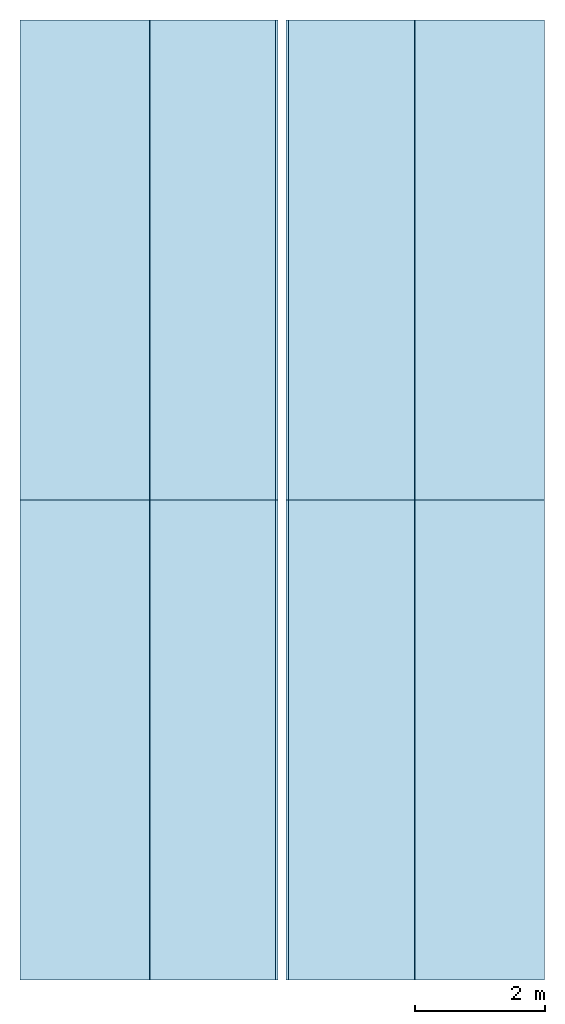
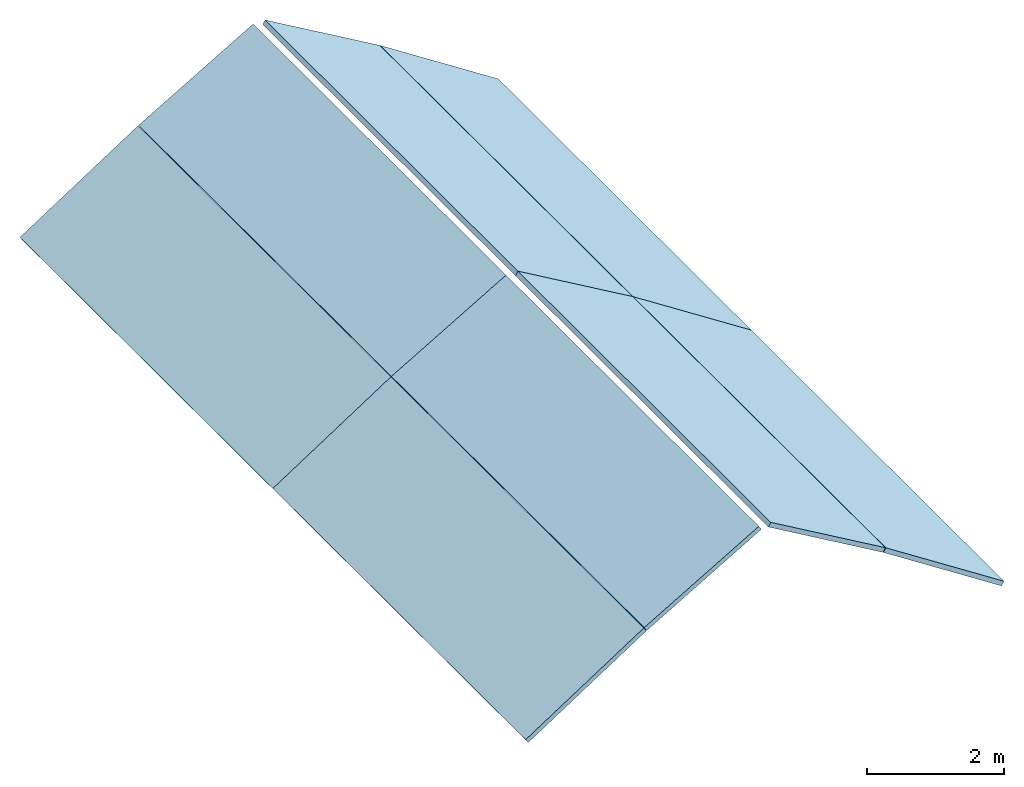
# One storey: 8 slabs.
"""IFC4 building model written with IfcOpenShell, lengths in metres."""

from ifc_helpers import new_model, si_unit, direction, frame, origin, place, context, subcontext, project, spatial, polyline, outline, extrude, material, layer, layer_set, type_object, element, save


model = new_model("IFC4")

# Units and contexts
model_context = context("Model", 3, precision=1e-05, world=origin(), true_north=direction((0.0, 1.0)))
body_context = subcontext(model_context, "Body", "Model", "MODEL_VIEW")
ifc_project = project(units=[si_unit("LENGTHUNIT", "METRE"), si_unit("AREAUNIT", "SQUARE_METRE"), si_unit("VOLUMEUNIT", "CUBIC_METRE"), si_unit("PLANEANGLEUNIT", "RADIAN"), si_unit("MASSUNIT", "GRAM", prefix="KILO")], contexts=[model_context])

# Site, building, storey
site_placement = place(None, origin())
site = spatial("IfcSite", under=ifc_project, at=site_placement, CompositionType="ELEMENT")
building_placement = place(site_placement, origin())
building = spatial("IfcBuilding", under=site, at=building_placement, Name="Lantern Court Media Centre", CompositionType="ELEMENT")
storey_placement = place(building_placement, frame((0.0, 0.0, 43.5)))
storey = spatial("IfcBuildingStorey", under=building, at=storey_placement, Name="Roof 1", CompositionType="ELEMENT", Elevation=43.5)

# Slabs
ifc_material = material(Name="Zinc standing seam on insulation")
ifc_layer = layer(ifc_material, 0.080078125)
ifc_layer_set = layer_set([ifc_layer], Name="Zinc standing seam on insulation")
slab_type = type_object("IfcSlabType", Name="Pavilion roof panel, standing seam 80", PredefinedType="ROOF", material=ifc_layer_set)
slab_1_placement = place(storey_placement, frame((47.95849609375, 42.60009765625, 0.560791015625), z_axis=(-0.544501401724, 0.0, 0.838759931995), x_axis=(0.838759931995, 0.0, 0.544501401724)))
element("IfcSlab", 1, at=slab_1_placement, inside=storey, type_object=slab_type, Name="Terrace pavilion roof panel", PredefinedType="ROOF", context=body_context, shape_type="SweptSolid", body=[
    extrude(outline(polyline([(0.0, 0.0), (2.3795242634301905, 0.0), (2.3795242634301905, 7.39990234375), (0.0, 7.39990234375), (0.0, 0.0)])), origin(), (0.0, 0.0, -1.0), 0.080078125),
])
for number, where, z_axis, x_axis, name in (
    (2, (49.9619140625, 42.60009765625, 1.861083984375), (-0.504297244259, 0.0, 0.863530132325), (0.863530132325, 0.0, 0.504297244259), "Terrace pavilion roof panel"),
    (3, (52.100830078125, 42.60009765625, 2.992431640625), (0.504297244259, 0.0, 0.863530132325), (0.863530132325, 0.0, -0.504297244259), "Terrace pavilion roof panel"),
):
    element("IfcSlab", number, at=place(storey_placement, frame(where, z_axis=z_axis, x_axis=x_axis)), inside=storey, type_object=slab_type, Name=name, PredefinedType="ROOF", context=body_context, shape_type="SweptSolid", body=[
        extrude(outline(polyline([(0.0, 0.0), (2.24341431393872, 0.0), (2.24341431393872, 7.39990234375), (0.0, 7.39990234375), (0.0, 0.0)])), origin(), (0.0, 0.0, -1.0), 0.080078125),
    ])
for number, where, z_axis, x_axis, name in (
    (4, (54.045654296875, 42.60009765625, 1.8564453125), (0.544501401724, 0.0, 0.838759931995), (0.838759931995, 0.0, -0.544501401724), "Terrace pavilion roof panel"),
    (5, (47.95849609375, 50.0, 0.560791015625), (-0.544501401724, 0.0, 0.838759931995), (0.838759931995, 0.0, 0.544501401724), "Terrace pavilion roof panel"),
):
    element("IfcSlab", number, at=place(storey_placement, frame(where, z_axis=z_axis, x_axis=x_axis)), inside=storey, type_object=slab_type, Name=name, PredefinedType="ROOF", context=body_context, shape_type="SweptSolid", body=[
        extrude(outline(polyline([(0.0, 0.0), (2.3795242634301905, 0.0), (2.3795242634301905, 7.39990234375), (0.0, 7.39990234375), (0.0, 0.0)])), origin(), (0.0, 0.0, -1.0), 0.080078125),
    ])
for number, where, z_axis, x_axis, name in (
    (6, (49.9619140625, 50.0, 1.861083984375), (-0.504297244259, 0.0, 0.863530132325), (0.863530132325, 0.0, 0.504297244259), "Terrace pavilion roof panel"),
    (7, (52.100830078125, 50.0, 2.992431640625), (0.504297244259, 0.0, 0.863530132325), (0.863530132325, 0.0, -0.504297244259), "Terrace pavilion roof panel"),
):
    element("IfcSlab", number, at=place(storey_placement, frame(where, z_axis=z_axis, x_axis=x_axis)), inside=storey, type_object=slab_type, Name=name, PredefinedType="ROOF", context=body_context, shape_type="SweptSolid", body=[
        extrude(outline(polyline([(0.0, 0.0), (2.24341431393872, 0.0), (2.24341431393872, 7.39990234375), (0.0, 7.39990234375), (0.0, 0.0)])), origin(), (0.0, 0.0, -1.0), 0.080078125),
    ])
slab_2_placement = place(storey_placement, frame((54.045654296875, 50.0, 1.8564453125), z_axis=(0.544501401724, 0.0, 0.838759931995), x_axis=(0.838759931995, 0.0, -0.544501401724)))
element("IfcSlab", 8, at=slab_2_placement, inside=storey, type_object=slab_type, Name="Terrace pavilion roof panel", PredefinedType="ROOF", context=body_context, shape_type="SweptSolid", body=[
    extrude(outline(polyline([(0.0, 0.0), (2.3795242634301905, 0.0), (2.3795242634301905, 7.39990234375), (0.0, 7.39990234375), (0.0, 0.0)])), origin(), (0.0, 0.0, -1.0), 0.080078125),
])

save(model, "model.ifc")
